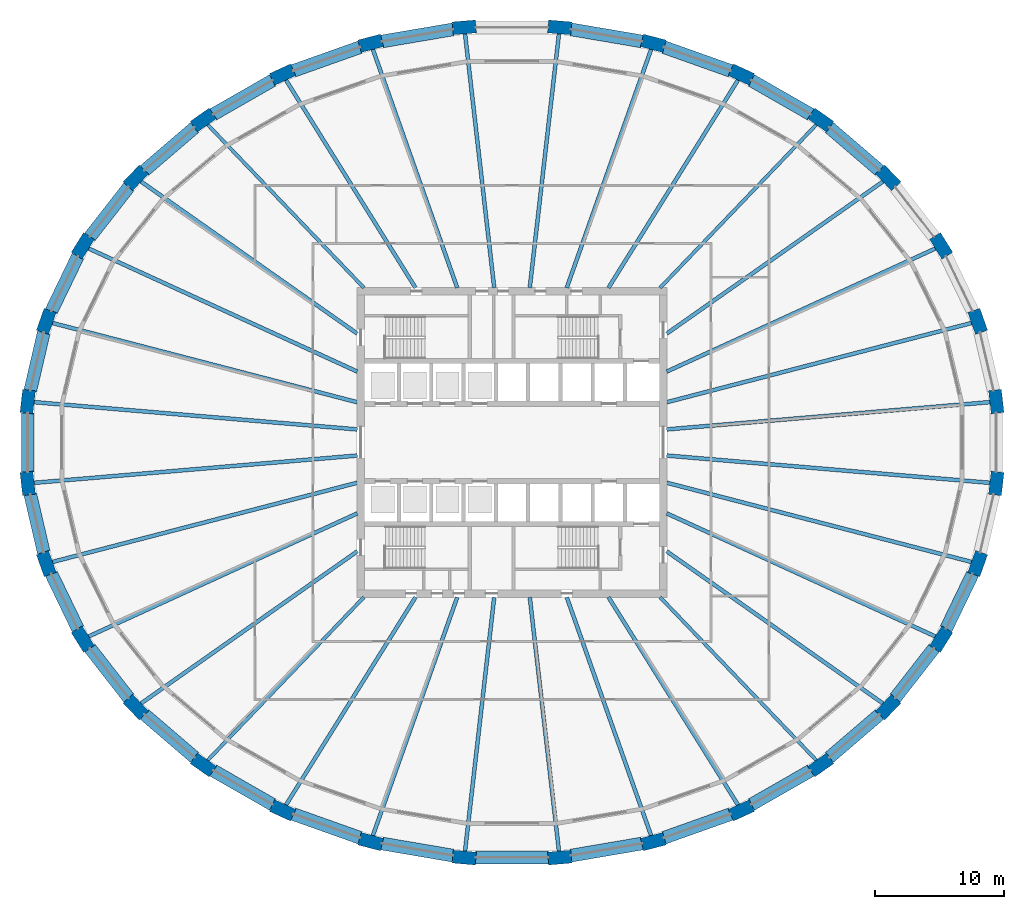
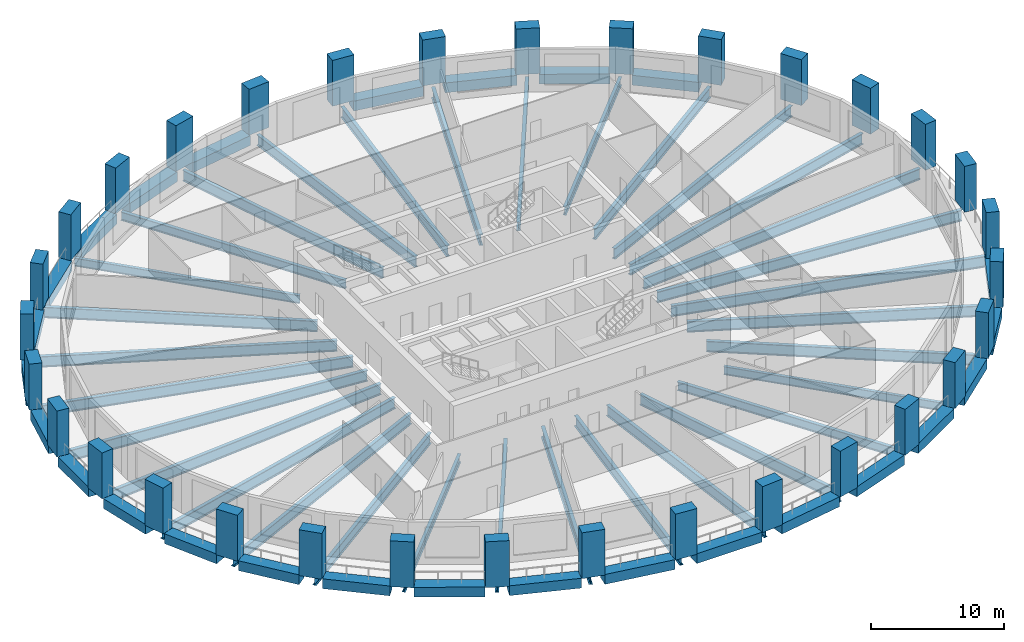
# One storey, part 1 of 11: 58 beams, 32 columns.
"""IFC4 building model written with IfcOpenShell, lengths in metres."""

from ifc_helpers import new_model, si_unit, direction, frame, origin, origin_2d, place, context, subcontext, project, spatial, rectangle, i_section, extrude, material, material_profile, profile_set, type_object, element, save


model = new_model("IFC4")

# Units and contexts
model_context = context("Model", 3, precision=1e-05, world=origin(), true_north=direction((0.0, 1.0)))
body_context = subcontext(model_context, "Body", "Model", "MODEL_VIEW")
ifc_project = project(units=[si_unit("LENGTHUNIT", "METRE"), si_unit("AREAUNIT", "SQUARE_METRE"), si_unit("VOLUMEUNIT", "CUBIC_METRE"), si_unit("PLANEANGLEUNIT", "RADIAN"), si_unit("MASSUNIT", "GRAM", prefix="KILO")], contexts=[model_context])

# Site, building, storey
site_placement = place(None, origin())
site = spatial("IfcSite", under=ifc_project, at=site_placement, CompositionType="ELEMENT")
building_placement = place(site_placement, origin())
building = spatial("IfcBuilding", under=site, at=building_placement, Name="Halqa Exchange Tower", CompositionType="ELEMENT")
storey_placement = place(building_placement, frame((0.0, 0.0, 36.10009765625)))
storey = spatial("IfcBuildingStorey", under=building, at=storey_placement, Name="L07", CompositionType="ELEMENT", Elevation=36.10009765625)

# Columns
ifc_material_1 = material(Name="Concrete C80/95", Category="concrete")
ifc_material_profile_1 = material_profile(ifc_material_1, rectangle(XDim=1.800048828125, YDim=1.0, at=origin_2d()), Name="1800 x 1000")
ifc_profile_set_1 = profile_set([ifc_material_profile_1], Name="Concrete C80/95")
column_type = type_object("IfcColumnType", Name="RC ring column 1800 x 1000 C80/95", PredefinedType="COLUMN", material=ifc_profile_set_1)
for number, where, z_axis, x_axis, name in (
    (1, (37.4765625, 3.163818359375, 0.0), (0.0, 0.0, 1.0), (-0.114155188058, 0.993462929877, 0.0), "Ring column 1"),
    (2, (36.036376953125, 9.369873046875, 0.0), (0.0, 0.0, 1.0), (-0.333630814899, 0.942703813162, 0.0), "Ring column 2"),
    (3, (33.211181640625, 15.2158203125, 0.0), (0.0, 0.0, 1.0), (-0.529141977228, 0.848533303964, 0.0), "Ring column 3"),
    (4, (29.110107421875, 20.47705078125, 0.0), (0.0, 0.0, 1.0), (-0.691574830638, 0.722304820438, 0.0), "Ring column 4"),
    (5, (23.889892578125, 24.951416015625, 0.0), (0.0, 0.0, 1.0), (-0.817911800523, 0.575343624772, 0.0), "Ring column 5"),
    (6, (17.751708984375, 28.466796875, 0.0), (0.0, 0.0, 1.0), (-0.909127822794, 0.416517228722, 0.0), "Ring column 6"),
    (7, (10.931396484375, 30.88818359375, 0.0), (0.0, 0.0, 1.0), (-0.967819064366, 0.251647091481, 0.0), "Ring column 7"),
    (8, (3.691162109375, 32.122802734375, 0.0), (0.0, 0.0, 1.0), (-0.996455225341, 0.084124811391, 0.0), "Ring column 8"),
    (9, (-3.691162109375, 32.122802734375, 0.0), (0.0, 0.0, 1.0), (-0.996455225341, -0.084124811391, 0.0), "Ring column 9"),
    (10, (-10.931396484375, 30.88818359375, 0.0), (0.0, 0.0, 1.0), (-0.967819064366, -0.251647091481, 0.0), "Ring column 10"),
    (11, (-17.751708984375, 28.466796875, 0.0), (0.0, 0.0, 1.0), (-0.909127822794, -0.416517228722, 0.0), "Ring column 11"),
    (12, (-23.889892578125, 24.951416015625, 0.0), (0.0, 0.0, 1.0), (-0.817911800523, -0.575343624772, 0.0), "Ring column 12"),
    (13, (-29.110107421875, 20.47705078125, 0.0), (0.0, 0.0, 1.0), (-0.691574830638, -0.722304820438, 0.0), "Ring column 13"),
    (14, (-33.211181640625, 15.2158203125, 0.0), (0.0, 0.0, 1.0), (-0.529141977228, -0.848533303964, 0.0), "Ring column 14"),
    (15, (-36.036376953125, 9.369873046875, 0.0), (0.0, 0.0, 1.0), (-0.333630814899, -0.942703813162, 0.0), "Ring column 15"),
    (16, (-37.4765625, 3.163818359375, 0.0), (0.0, 0.0, 1.0), (-0.114155188058, -0.993462929877, 0.0), "Ring column 16"),
    (17, (-37.4765625, -3.163818359375, 0.0), (0.0, 0.0, 1.0), (0.114155188058, -0.993462929877, 0.0), "Ring column 17"),
    (18, (-36.036376953125, -9.369873046875, 0.0), (0.0, 0.0, 1.0), (0.333630814899, -0.942703813162, 0.0), "Ring column 18"),
    (19, (-33.211181640625, -15.2158203125, 0.0), (0.0, 0.0, 1.0), (0.529141977228, -0.848533303964, 0.0), "Ring column 19"),
    (20, (-29.110107421875, -20.47705078125, 0.0), (0.0, 0.0, 1.0), (0.691574830638, -0.722304820438, 0.0), "Ring column 20"),
    (21, (-23.889892578125, -24.951416015625, 0.0), (0.0, 0.0, 1.0), (0.817911800523, -0.575343624772, 0.0), "Ring column 21"),
    (22, (-17.751708984375, -28.466796875, 0.0), (0.0, 0.0, 1.0), (0.909127822794, -0.416517228722, 0.0), "Ring column 22"),
    (23, (-10.931396484375, -30.88818359375, 0.0), (0.0, 0.0, 1.0), (0.967819064366, -0.251647091481, 0.0), "Ring column 23"),
    (24, (-3.691162109375, -32.122802734375, 0.0), (0.0, 0.0, 1.0), (0.996455225341, -0.084124811391, 0.0), "Ring column 24"),
    (25, (3.691162109375, -32.122802734375, 0.0), (0.0, 0.0, 1.0), (0.996455225341, 0.084124811391, 0.0), "Ring column 25"),
    (26, (10.931396484375, -30.88818359375, 0.0), (0.0, 0.0, 1.0), (0.967819064366, 0.251647091481, 0.0), "Ring column 26"),
    (27, (17.751708984375, -28.466796875, 0.0), (0.0, 0.0, 1.0), (0.909127822794, 0.416517228722, 0.0), "Ring column 27"),
    (28, (23.889892578125, -24.951416015625, 0.0), (0.0, 0.0, 1.0), (0.817911800523, 0.575343624772, 0.0), "Ring column 28"),
    (29, (29.110107421875, -20.47705078125, 0.0), (0.0, 0.0, 1.0), (0.691574830638, 0.722304820438, 0.0), "Ring column 29"),
    (30, (33.211181640625, -15.2158203125, 0.0), (0.0, 0.0, 1.0), (0.529141977228, 0.848533303964, 0.0), "Ring column 30"),
    (31, (36.036376953125, -9.369873046875, 0.0), (0.0, 0.0, 1.0), (0.333630814899, 0.942703813162, 0.0), "Ring column 31"),
    (32, (37.4765625, -3.163818359375, 0.0), (0.0, 0.0, 1.0), (0.114155188058, 0.993462929877, 0.0), "Ring column 32"),
):
    element("IfcColumn", number, at=place(storey_placement, frame(where, z_axis=z_axis, x_axis=x_axis)), inside=storey, type_object=column_type, Name=name, PredefinedType="COLUMN", context=body_context, shape_type="SweptSolid", body=[
        extrude(rectangle(XDim=1.800048828125, YDim=1.0, at=origin_2d()), origin(), (0.0, 0.0, 1.0), 4.199951171875),
    ])

# Beams
ifc_material_2 = material(Name="Steel S355", Category="steel")
ifc_material_profile_2 = material_profile(ifc_material_2, i_section(OverallWidth=0.300048828125, OverallDepth=0.989990234375, WebThickness=0.0166015625, FlangeThickness=0.031005859375, FilletRadius=0.030029296875, at=origin_2d()), Name="HEA 1000")
ifc_profile_set_2 = profile_set([ifc_material_profile_2], Name="Steel S355")
beam_type_1 = type_object("IfcBeamType", Name="Floor beam HEA 1000", PredefinedType="BEAM", material=ifc_profile_set_2)
beam_1_placement = place(storey_placement, frame((11.972412109375, 5.485107421875, -0.795166015625), z_axis=(0.909127504728, 0.416517922961, 0.0), x_axis=(-0.416517922961, 0.909127504728, 0.0)))
element("IfcBeam", 33, at=beam_1_placement, inside=storey, type_object=beam_type_1, Name="Radial beam 3", PredefinedType="BEAM", context=body_context, shape_type="SweptSolid", body=[
    extrude(i_section(OverallWidth=0.300048828125, OverallDepth=0.989990234375, WebThickness=0.0166015625, FlangeThickness=0.031005859375, FilletRadius=0.030029296875, at=origin_2d()), origin(), (0.0, 0.0, 1.0), 22.98583984375),
])
beam_2_placement = place(storey_placement, frame((11.972412109375, 8.421875, -0.795166015625), z_axis=(0.817909814648, 0.575346447892, 0.0), x_axis=(-0.575346447892, 0.817909814648, 0.0)))
element("IfcBeam", 34, at=beam_2_placement, inside=storey, type_object=beam_type_1, Name="Radial beam 4", PredefinedType="BEAM", context=body_context, shape_type="SweptSolid", body=[
    extrude(i_section(OverallWidth=0.300048828125, OverallDepth=0.989990234375, WebThickness=0.0166015625, FlangeThickness=0.031005859375, FilletRadius=0.030029296875, at=origin_2d()), origin(), (0.0, 0.0, 1.0), 20.576904296875),
])
beam_3_placement = place(storey_placement, frame((4.23681640625, 11.971923828125, -0.795166015625), z_axis=(0.333629334542, 0.942704337071, 0.0), x_axis=(-0.942704337071, 0.333629334542, 0.0)))
element("IfcBeam", 35, at=beam_3_placement, inside=storey, type_object=beam_type_1, Name="Radial beam 7", PredefinedType="BEAM", context=body_context, shape_type="SweptSolid", body=[
    extrude(i_section(OverallWidth=0.300048828125, OverallDepth=0.989990234375, WebThickness=0.0166015625, FlangeThickness=0.031005859375, FilletRadius=0.030029296875, at=origin_2d()), origin(), (0.0, 0.0, 1.0), 19.69189453125),
])
for number, where, z_axis, x_axis, name in (
    (36, (1.375732421875, 11.972900390625, -0.795166015625), (0.114158678634, 0.993462528781, 0.0), (-0.993462528781, 0.114158678634, 0.0), "Radial beam 8"),
    (37, (-1.375732421875, 11.972900390625, -0.795166015625), (-0.114158678634, 0.993462528781, 0.0), (-0.993462528781, -0.114158678634, 0.0), "Radial beam 9"),
):
    element("IfcBeam", number, at=place(storey_placement, frame(where, z_axis=z_axis, x_axis=x_axis)), inside=storey, type_object=beam_type_1, Name=name, PredefinedType="BEAM", context=body_context, shape_type="SweptSolid", body=[
        extrude(i_section(OverallWidth=0.300048828125, OverallDepth=0.989990234375, WebThickness=0.0166015625, FlangeThickness=0.031005859375, FilletRadius=0.030029296875, at=origin_2d()), origin(), (0.0, 0.0, 1.0), 19.910400390625),
    ])
beam_4_placement = place(storey_placement, frame((-4.23681640625, 11.971923828125, -0.795166015625), z_axis=(-0.333629334542, 0.942704337071, 0.0), x_axis=(-0.942704337071, -0.333629334542, 0.0)))
element("IfcBeam", 38, at=beam_4_placement, inside=storey, type_object=beam_type_1, Name="Radial beam 10", PredefinedType="BEAM", context=body_context, shape_type="SweptSolid", body=[
    extrude(i_section(OverallWidth=0.300048828125, OverallDepth=0.989990234375, WebThickness=0.0166015625, FlangeThickness=0.031005859375, FilletRadius=0.030029296875, at=origin_2d()), origin(), (0.0, 0.0, 1.0), 19.69189453125),
])
beam_5_placement = place(storey_placement, frame((-11.972412109375, 8.421875, -0.795166015625), z_axis=(-0.817909814648, 0.575346447892, 0.0), x_axis=(-0.575346447892, -0.817909814648, 0.0)))
element("IfcBeam", 39, at=beam_5_placement, inside=storey, type_object=beam_type_1, Name="Radial beam 13", PredefinedType="BEAM", context=body_context, shape_type="SweptSolid", body=[
    extrude(i_section(OverallWidth=0.300048828125, OverallDepth=0.989990234375, WebThickness=0.0166015625, FlangeThickness=0.031005859375, FilletRadius=0.030029296875, at=origin_2d()), origin(), (0.0, 0.0, 1.0), 20.576904296875),
])
for number, where, z_axis, x_axis, name in (
    (40, (-11.972412109375, 5.485107421875, -0.795166015625), (-0.909127504728, 0.416517922961, 0.0), (-0.416517922961, -0.909127504728, 0.0), "Radial beam 14"),
    (41, (-11.972412109375, -5.485107421875, -0.795166015625), (-0.909127504728, -0.416517922961, 0.0), (0.416517922961, -0.909127504728, 0.0), "Radial beam 19"),
):
    element("IfcBeam", number, at=place(storey_placement, frame(where, z_axis=z_axis, x_axis=x_axis)), inside=storey, type_object=beam_type_1, Name=name, PredefinedType="BEAM", context=body_context, shape_type="SweptSolid", body=[
        extrude(i_section(OverallWidth=0.300048828125, OverallDepth=0.989990234375, WebThickness=0.0166015625, FlangeThickness=0.031005859375, FilletRadius=0.030029296875, at=origin_2d()), origin(), (0.0, 0.0, 1.0), 22.98583984375),
    ])
beam_6_placement = place(storey_placement, frame((-11.972412109375, -8.421875, -0.795166015625), z_axis=(-0.817909814648, -0.575346447892, 0.0), x_axis=(0.575346447892, -0.817909814648, 0.0)))
element("IfcBeam", 42, at=beam_6_placement, inside=storey, type_object=beam_type_1, Name="Radial beam 20", PredefinedType="BEAM", context=body_context, shape_type="SweptSolid", body=[
    extrude(i_section(OverallWidth=0.300048828125, OverallDepth=0.989990234375, WebThickness=0.0166015625, FlangeThickness=0.031005859375, FilletRadius=0.030029296875, at=origin_2d()), origin(), (0.0, 0.0, 1.0), 20.576904296875),
])
beam_7_placement = place(storey_placement, frame((-4.23681640625, -11.971923828125, -0.795166015625), z_axis=(-0.333629334542, -0.942704337071, 0.0), x_axis=(0.942704337071, -0.333629334542, 0.0)))
element("IfcBeam", 43, at=beam_7_placement, inside=storey, type_object=beam_type_1, Name="Radial beam 23", PredefinedType="BEAM", context=body_context, shape_type="SweptSolid", body=[
    extrude(i_section(OverallWidth=0.300048828125, OverallDepth=0.989990234375, WebThickness=0.0166015625, FlangeThickness=0.031005859375, FilletRadius=0.030029296875, at=origin_2d()), origin(), (0.0, 0.0, 1.0), 19.69189453125),
])
for number, where, z_axis, x_axis, name in (
    (44, (-1.375732421875, -11.972900390625, -0.795166015625), (-0.114158678634, -0.993462528781, 0.0), (0.993462528781, -0.114158678634, 0.0), "Radial beam 24"),
    (45, (1.375732421875, -11.972900390625, -0.795166015625), (0.114158678634, -0.993462528781, 0.0), (0.993462528781, 0.114158678634, 0.0), "Radial beam 25"),
):
    element("IfcBeam", number, at=place(storey_placement, frame(where, z_axis=z_axis, x_axis=x_axis)), inside=storey, type_object=beam_type_1, Name=name, PredefinedType="BEAM", context=body_context, shape_type="SweptSolid", body=[
        extrude(i_section(OverallWidth=0.300048828125, OverallDepth=0.989990234375, WebThickness=0.0166015625, FlangeThickness=0.031005859375, FilletRadius=0.030029296875, at=origin_2d()), origin(), (0.0, 0.0, 1.0), 19.910400390625),
    ])
beam_8_placement = place(storey_placement, frame((4.23681640625, -11.971923828125, -0.795166015625), z_axis=(0.333629334542, -0.942704337071, 0.0), x_axis=(0.942704337071, 0.333629334542, 0.0)))
element("IfcBeam", 46, at=beam_8_placement, inside=storey, type_object=beam_type_1, Name="Radial beam 26", PredefinedType="BEAM", context=body_context, shape_type="SweptSolid", body=[
    extrude(i_section(OverallWidth=0.300048828125, OverallDepth=0.989990234375, WebThickness=0.0166015625, FlangeThickness=0.031005859375, FilletRadius=0.030029296875, at=origin_2d()), origin(), (0.0, 0.0, 1.0), 19.69189453125),
])
beam_9_placement = place(storey_placement, frame((11.972412109375, -8.421875, -0.795166015625), z_axis=(0.817909814648, -0.575346447892, 0.0), x_axis=(0.575346447892, 0.817909814648, 0.0)))
element("IfcBeam", 47, at=beam_9_placement, inside=storey, type_object=beam_type_1, Name="Radial beam 29", PredefinedType="BEAM", context=body_context, shape_type="SweptSolid", body=[
    extrude(i_section(OverallWidth=0.300048828125, OverallDepth=0.989990234375, WebThickness=0.0166015625, FlangeThickness=0.031005859375, FilletRadius=0.030029296875, at=origin_2d()), origin(), (0.0, 0.0, 1.0), 20.576904296875),
])
beam_10_placement = place(storey_placement, frame((11.972412109375, -5.485107421875, -0.795166015625), z_axis=(0.909127504728, -0.416517922961, 0.0), x_axis=(0.416517922961, 0.909127504728, 0.0)))
element("IfcBeam", 48, at=beam_10_placement, inside=storey, type_object=beam_type_1, Name="Radial beam 30", PredefinedType="BEAM", context=body_context, shape_type="SweptSolid", body=[
    extrude(i_section(OverallWidth=0.300048828125, OverallDepth=0.989990234375, WebThickness=0.0166015625, FlangeThickness=0.031005859375, FilletRadius=0.030029296875, at=origin_2d()), origin(), (0.0, 0.0, 1.0), 22.98583984375),
])
ifc_material_profile_3 = material_profile(ifc_material_2, i_section(OverallWidth=0.300048828125, OverallDepth=0.7900390625, WebThickness=0.014892578125, FlangeThickness=0.028076171875, FilletRadius=0.030029296875, at=origin_2d()), Name="HEA 800")
ifc_profile_set_3 = profile_set([ifc_material_profile_3], Name="Steel S355")
beam_type_2 = type_object("IfcBeamType", Name="Floor beam HEA 800", PredefinedType="BEAM", material=ifc_profile_set_3)
for number, where, z_axis, x_axis, name in (
    (49, (7.46533203125, 11.971435546875, -0.695068359375), (0.529139911738, 0.848534591992, 0.0), (-0.848534591992, 0.529139911738, 0.0), "Radial beam 6"),
    (50, (-7.46533203125, 11.971435546875, -0.695068359375), (-0.529139911738, 0.848534591992, 0.0), (-0.848534591992, -0.529139911738, 0.0), "Radial beam 11"),
    (51, (-7.46533203125, -11.971435546875, -0.695068359375), (-0.529139911738, -0.848534591992, 0.0), (0.848534591992, -0.529139911738, 0.0), "Radial beam 22"),
    (52, (7.46533203125, -11.971435546875, -0.695068359375), (0.529139911738, -0.848534591992, 0.0), (0.848534591992, 0.529139911738, 0.0), "Radial beam 27"),
):
    element("IfcBeam", number, at=place(storey_placement, frame(where, z_axis=z_axis, x_axis=x_axis)), inside=storey, type_object=beam_type_2, Name=name, PredefinedType="BEAM", context=body_context, shape_type="SweptSolid", body=[
        extrude(i_section(OverallWidth=0.300048828125, OverallDepth=0.7900390625, WebThickness=0.014892578125, FlangeThickness=0.028076171875, FilletRadius=0.030029296875, at=origin_2d()), origin(), (0.0, 0.0, 1.0), 19.063720703125),
    ])
ifc_material_profile_4 = material_profile(ifc_material_2, i_section(OverallWidth=0.302001953125, OverallDepth=1.008056640625, WebThickness=0.02099609375, FlangeThickness=0.0400390625, FilletRadius=0.030029296875, at=origin_2d()), Name="HEM 1000")
ifc_profile_set_4 = profile_set([ifc_material_profile_4], Name="Steel S355")
beam_type_3 = type_object("IfcBeamType", Name="Floor beam HEM 1000", PredefinedType="BEAM", material=ifc_profile_set_4)
beam_11_placement = place(storey_placement, frame((11.972412109375, 1.0107421875, -0.80419921875), z_axis=(0.996455391934, 0.084122838075, 0.0), x_axis=(-0.084122838075, 0.996455391934, 0.0)))
element("IfcBeam", 53, at=beam_11_placement, inside=storey, type_object=beam_type_3, Name="Radial beam 1", PredefinedType="BEAM", context=body_context, shape_type="SweptSolid", body=[
    extrude(i_section(OverallWidth=0.302001953125, OverallDepth=1.008056640625, WebThickness=0.02099609375, FlangeThickness=0.0400390625, FilletRadius=0.030029296875, at=origin_2d()), origin(), (0.0, 0.0, 1.0), 25.222900390625),
])
for number, where, z_axis, x_axis, name in (
    (54, (11.971435546875, 3.11279296875, -0.80419921875), (0.967819156454, 0.251646737313, 0.0), (-0.251646737313, 0.967819156454, 0.0), "Radial beam 2"),
    (55, (-11.971435546875, 3.11279296875, -0.80419921875), (-0.967819156454, 0.251646737313, 0.0), (-0.251646737313, -0.967819156454, 0.0), "Radial beam 15"),
):
    element("IfcBeam", number, at=place(storey_placement, frame(where, z_axis=z_axis, x_axis=x_axis)), inside=storey, type_object=beam_type_3, Name=name, PredefinedType="BEAM", context=body_context, shape_type="SweptSolid", body=[
        extrude(i_section(OverallWidth=0.302001953125, OverallDepth=1.008056640625, WebThickness=0.02099609375, FlangeThickness=0.0400390625, FilletRadius=0.030029296875, at=origin_2d()), origin(), (0.0, 0.0, 1.0), 24.490966796875),
    ])
for number, where, z_axis, x_axis, name in (
    (56, (-11.972412109375, 1.0107421875, -0.80419921875), (-0.996455391934, 0.084122838075, 0.0), (-0.084122838075, -0.996455391934, 0.0), "Radial beam 16"),
    (57, (-11.972412109375, -1.0107421875, -0.80419921875), (-0.996455391934, -0.084122838075, 0.0), (0.084122838075, -0.996455391934, 0.0), "Radial beam 17"),
):
    element("IfcBeam", number, at=place(storey_placement, frame(where, z_axis=z_axis, x_axis=x_axis)), inside=storey, type_object=beam_type_3, Name=name, PredefinedType="BEAM", context=body_context, shape_type="SweptSolid", body=[
        extrude(i_section(OverallWidth=0.302001953125, OverallDepth=1.008056640625, WebThickness=0.02099609375, FlangeThickness=0.0400390625, FilletRadius=0.030029296875, at=origin_2d()), origin(), (0.0, 0.0, 1.0), 25.222900390625),
    ])
for number, where, z_axis, x_axis, name in (
    (58, (-11.971435546875, -3.11279296875, -0.80419921875), (-0.967819156454, -0.251646737313, 0.0), (0.251646737313, -0.967819156454, 0.0), "Radial beam 18"),
    (59, (11.971435546875, -3.11279296875, -0.80419921875), (0.967819156454, -0.251646737313, 0.0), (0.251646737313, 0.967819156454, 0.0), "Radial beam 31"),
):
    element("IfcBeam", number, at=place(storey_placement, frame(where, z_axis=z_axis, x_axis=x_axis)), inside=storey, type_object=beam_type_3, Name=name, PredefinedType="BEAM", context=body_context, shape_type="SweptSolid", body=[
        extrude(i_section(OverallWidth=0.302001953125, OverallDepth=1.008056640625, WebThickness=0.02099609375, FlangeThickness=0.0400390625, FilletRadius=0.030029296875, at=origin_2d()), origin(), (0.0, 0.0, 1.0), 24.490966796875),
    ])
beam_12_placement = place(storey_placement, frame((11.972412109375, -1.0107421875, -0.80419921875), z_axis=(0.996455391934, -0.084122838075, 0.0), x_axis=(0.084122838075, 0.996455391934, 0.0)))
element("IfcBeam", 60, at=beam_12_placement, inside=storey, type_object=beam_type_3, Name="Radial beam 32", PredefinedType="BEAM", context=body_context, shape_type="SweptSolid", body=[
    extrude(i_section(OverallWidth=0.302001953125, OverallDepth=1.008056640625, WebThickness=0.02099609375, FlangeThickness=0.0400390625, FilletRadius=0.030029296875, at=origin_2d()), origin(), (0.0, 0.0, 1.0), 25.222900390625),
])
ifc_material_profile_5 = material_profile(ifc_material_2, i_section(OverallWidth=0.264892578125, OverallDepth=0.7529296875, WebThickness=0.01318359375, FlangeThickness=0.01708984375, FilletRadius=0.01708984375, at=origin_2d()), Name="IPE 750x147")
ifc_profile_set_5 = profile_set([ifc_material_profile_5], Name="Steel S355")
beam_type_4 = type_object("IfcBeamType", Name="Floor beam IPE 750x147", PredefinedType="BEAM", material=ifc_profile_set_5)
for number, where, z_axis, x_axis, name in (
    (61, (11.462890625, 11.97216796875, -0.676513671875), (0.691577968949, 0.722301815631, 0.0), (-0.722301815631, 0.691577968949, 0.0), "Radial beam 5"),
    (62, (-11.462890625, 11.97216796875, -0.676513671875), (-0.691577968949, 0.722301815631, 0.0), (-0.722301815631, -0.691577968949, 0.0), "Radial beam 12"),
    (63, (-11.462890625, -11.97216796875, -0.676513671875), (-0.691577968949, -0.722301815631, 0.0), (0.722301815631, -0.691577968949, 0.0), "Radial beam 21"),
    (64, (11.462890625, -11.97216796875, -0.676513671875), (0.691577968949, -0.722301815631, 0.0), (0.722301815631, 0.691577968949, 0.0), "Radial beam 28"),
):
    element("IfcBeam", number, at=place(storey_placement, frame(where, z_axis=z_axis, x_axis=x_axis)), inside=storey, type_object=beam_type_4, Name=name, PredefinedType="BEAM", context=body_context, shape_type="SweptSolid", body=[
        extrude(i_section(OverallWidth=0.264892578125, OverallDepth=0.7529296875, WebThickness=0.01318359375, FlangeThickness=0.01708984375, FilletRadius=0.01708984375, at=origin_2d()), origin(), (0.0, 0.0, 1.0), 17.593017578125),
    ])
ifc_material_3 = material(Name="Concrete C60/75", Category="concrete")
ifc_material_profile_6 = material_profile(ifc_material_3, rectangle(XDim=1.0, YDim=0.89990234375, at=origin_2d()), Name="1000 x 900")
ifc_profile_set_6 = profile_set([ifc_material_profile_6], Name="Concrete C60/75")
beam_type_5 = type_object("IfcBeamType", Name="RC spandrel beam 1000 x 900 C60/75", PredefinedType="SPANDREL", material=ifc_profile_set_6)
beam_13_placement = place(storey_placement, frame((28.444580078125, 21.04736328125, -0.4501953125), z_axis=(-0.759249875312, 0.650799221602, 0.0), x_axis=(-0.650799221602, -0.759249875312, 0.0)))
element("IfcBeam", 65, at=beam_13_placement, inside=storey, type_object=beam_type_5, Name="Spandrel 4", PredefinedType="SPANDREL", context=body_context, shape_type="SweptSolid", body=[
    extrude(rectangle(XDim=1.0, YDim=0.89990234375, at=origin_2d()), origin(), (0.0, 0.0, 1.0), 5.123779296875),
])
beam_14_placement = place(storey_placement, frame((23.129638671875, 25.38671875, -0.4501953125), z_axis=(-0.867743060026, 0.497013059966, 0.0), x_axis=(-0.497013059966, -0.867743060026, 0.0)))
element("IfcBeam", 66, at=beam_14_placement, inside=storey, type_object=beam_type_5, Name="Spandrel 5", PredefinedType="SPANDREL", context=body_context, shape_type="SweptSolid", body=[
    extrude(rectangle(XDim=1.0, YDim=0.89990234375, at=origin_2d()), origin(), (0.0, 0.0, 1.0), 5.322265625),
])
beam_15_placement = place(storey_placement, frame((16.926025390625, 28.760009765625, -0.4501953125), z_axis=(-0.942362573301, 0.334593455468, 0.0), x_axis=(-0.334593455468, -0.942362573301, 0.0)))
element("IfcBeam", 67, at=beam_15_placement, inside=storey, type_object=beam_type_5, Name="Spandrel 6", PredefinedType="SPANDREL", context=body_context, shape_type="SweptSolid", body=[
    extrude(rectangle(XDim=1.0, YDim=0.89990234375, at=origin_2d()), origin(), (0.0, 0.0, 1.0), 5.485595703125),
])
for number, where, z_axis, x_axis, name in (
    (68, (10.06884765625, 31.035400390625, -0.4501953125), (-0.98577383032, 0.16807723063, 0.0), (-0.16807723063, -0.98577383032, 0.0), "Spandrel 7"),
    (69, (-4.55322265625, 31.975830078125, -0.4501953125), (-0.98577383032, -0.16807723063, 0.0), (0.16807723063, -0.98577383032, 0.0), "Spandrel 9"),
):
    element("IfcBeam", number, at=place(storey_placement, frame(where, z_axis=z_axis, x_axis=x_axis)), inside=storey, type_object=beam_type_5, Name=name, PredefinedType="SPANDREL", context=body_context, shape_type="SweptSolid", body=[
        extrude(rectangle(XDim=1.0, YDim=0.89990234375, at=origin_2d()), origin(), (0.0, 0.0, 1.0), 5.59521484375),
    ])
beam_16_placement = place(storey_placement, frame((-11.756591796875, 30.595458984375, -0.4501953125), z_axis=(-0.942362573301, -0.334593455468, 0.0), x_axis=(0.334593455468, -0.942362573301, 0.0)))
element("IfcBeam", 70, at=beam_16_placement, inside=storey, type_object=beam_type_5, Name="Spandrel 10", PredefinedType="SPANDREL", context=body_context, shape_type="SweptSolid", body=[
    extrude(rectangle(XDim=1.0, YDim=0.89990234375, at=origin_2d()), origin(), (0.0, 0.0, 1.0), 5.485595703125),
])
beam_17_placement = place(storey_placement, frame((-18.51123046875, 28.031982421875, -0.4501953125), z_axis=(-0.867743060026, -0.497013059966, 0.0), x_axis=(0.497013059966, -0.867743060026, 0.0)))
element("IfcBeam", 71, at=beam_17_placement, inside=storey, type_object=beam_type_5, Name="Spandrel 11", PredefinedType="SPANDREL", context=body_context, shape_type="SweptSolid", body=[
    extrude(rectangle(XDim=1.0, YDim=0.89990234375, at=origin_2d()), origin(), (0.0, 0.0, 1.0), 5.322265625),
])
beam_18_placement = place(storey_placement, frame((-24.554443359375, 24.3818359375, -0.4501953125), z_axis=(-0.759249875312, -0.650799221602, 0.0), x_axis=(0.650799221602, -0.759249875312, 0.0)))
element("IfcBeam", 72, at=beam_18_placement, inside=storey, type_object=beam_type_5, Name="Spandrel 12", PredefinedType="SPANDREL", context=body_context, shape_type="SweptSolid", body=[
    extrude(rectangle(XDim=1.0, YDim=0.89990234375, at=origin_2d()), origin(), (0.0, 0.0, 1.0), 5.123779296875),
])
beam_19_placement = place(storey_placement, frame((-29.648193359375, 19.78662109375, -0.4501953125), z_axis=(-0.614778716326, -0.788699644955, 0.0), x_axis=(0.788699644955, -0.614778716326, 0.0)))
element("IfcBeam", 73, at=beam_19_placement, inside=storey, type_object=beam_type_5, Name="Spandrel 13", PredefinedType="SPANDREL", context=body_context, shape_type="SweptSolid", body=[
    extrude(rectangle(XDim=1.0, YDim=0.89990234375, at=origin_2d()), origin(), (0.0, 0.0, 1.0), 4.918701171875),
])
beam_20_placement = place(storey_placement, frame((-33.59326171875, 14.42529296875, -0.4501953125), z_axis=(-0.435115053314, -0.900374861033, 0.0), x_axis=(0.900374861033, -0.435115053314, 0.0)))
element("IfcBeam", 74, at=beam_20_placement, inside=storey, type_object=beam_type_5, Name="Spandrel 14", PredefinedType="SPANDREL", context=body_context, shape_type="SweptSolid", body=[
    extrude(rectangle(XDim=1.0, YDim=0.89990234375, at=origin_2d()), origin(), (0.0, 0.0, 1.0), 4.73779296875),
])
beam_21_placement = place(storey_placement, frame((-36.23486328125, 8.514892578125, -0.4501953125), z_axis=(-0.226057098176, -0.974114053058, 0.0), x_axis=(0.974114053058, -0.226057098176, 0.0)))
element("IfcBeam", 75, at=beam_21_placement, inside=storey, type_object=beam_type_5, Name="Spandrel 15", PredefinedType="SPANDREL", context=body_context, shape_type="SweptSolid", body=[
    extrude(rectangle(XDim=1.0, YDim=0.89990234375, at=origin_2d()), origin(), (0.0, 0.0, 1.0), 4.61474609375),
])
beam_22_placement = place(storey_placement, frame((-37.4765625, 2.28515625, -0.4501953125), z_axis=(0.0, -1.0, 0.0), x_axis=(1.0, 0.0, 0.0)))
element("IfcBeam", 76, at=beam_22_placement, inside=storey, type_object=beam_type_5, Name="Spandrel 16", PredefinedType="SPANDREL", context=body_context, shape_type="SweptSolid", body=[
    extrude(rectangle(XDim=1.0, YDim=0.89990234375, at=origin_2d()), origin(), (0.0, 0.0, 1.0), 4.5703125),
])
beam_23_placement = place(storey_placement, frame((-37.278076171875, -4.01953125, -0.4501953125), z_axis=(0.226057098176, -0.974114053058, 0.0), x_axis=(0.974114053058, 0.226057098176, 0.0)))
element("IfcBeam", 77, at=beam_23_placement, inside=storey, type_object=beam_type_5, Name="Spandrel 17", PredefinedType="SPANDREL", context=body_context, shape_type="SweptSolid", body=[
    extrude(rectangle(XDim=1.0, YDim=0.89990234375, at=origin_2d()), origin(), (0.0, 0.0, 1.0), 4.61474609375),
])
beam_24_placement = place(storey_placement, frame((-35.65478515625, -10.159423828125, -0.4501953125), z_axis=(0.435115053314, -0.900374861033, 0.0), x_axis=(0.900374861033, 0.435115053314, 0.0)))
element("IfcBeam", 78, at=beam_24_placement, inside=storey, type_object=beam_type_5, Name="Spandrel 18", PredefinedType="SPANDREL", context=body_context, shape_type="SweptSolid", body=[
    extrude(rectangle(XDim=1.0, YDim=0.89990234375, at=origin_2d()), origin(), (0.0, 0.0, 1.0), 4.73779296875),
])
beam_25_placement = place(storey_placement, frame((-32.672119140625, -15.9072265625, -0.4501953125), z_axis=(0.614778716326, -0.788699644955, 0.0), x_axis=(0.788699644955, 0.614778716326, 0.0)))
element("IfcBeam", 79, at=beam_25_placement, inside=storey, type_object=beam_type_5, Name="Spandrel 19", PredefinedType="SPANDREL", context=body_context, shape_type="SweptSolid", body=[
    extrude(rectangle(XDim=1.0, YDim=0.89990234375, at=origin_2d()), origin(), (0.0, 0.0, 1.0), 4.918701171875),
])
beam_26_placement = place(storey_placement, frame((-28.444580078125, -21.04736328125, -0.4501953125), z_axis=(0.759249875312, -0.650799221602, 0.0), x_axis=(0.650799221602, 0.759249875312, 0.0)))
element("IfcBeam", 80, at=beam_26_placement, inside=storey, type_object=beam_type_5, Name="Spandrel 20", PredefinedType="SPANDREL", context=body_context, shape_type="SweptSolid", body=[
    extrude(rectangle(XDim=1.0, YDim=0.89990234375, at=origin_2d()), origin(), (0.0, 0.0, 1.0), 5.123779296875),
])
beam_27_placement = place(storey_placement, frame((-23.129638671875, -25.38671875, -0.4501953125), z_axis=(0.867743060026, -0.497013059966, 0.0), x_axis=(0.497013059966, 0.867743060026, 0.0)))
element("IfcBeam", 81, at=beam_27_placement, inside=storey, type_object=beam_type_5, Name="Spandrel 21", PredefinedType="SPANDREL", context=body_context, shape_type="SweptSolid", body=[
    extrude(rectangle(XDim=1.0, YDim=0.89990234375, at=origin_2d()), origin(), (0.0, 0.0, 1.0), 5.322265625),
])
beam_28_placement = place(storey_placement, frame((-16.926025390625, -28.760009765625, -0.4501953125), z_axis=(0.942362573301, -0.334593455468, 0.0), x_axis=(0.334593455468, 0.942362573301, 0.0)))
element("IfcBeam", 82, at=beam_28_placement, inside=storey, type_object=beam_type_5, Name="Spandrel 22", PredefinedType="SPANDREL", context=body_context, shape_type="SweptSolid", body=[
    extrude(rectangle(XDim=1.0, YDim=0.89990234375, at=origin_2d()), origin(), (0.0, 0.0, 1.0), 5.485595703125),
])
beam_29_placement = place(storey_placement, frame((-10.06884765625, -31.035400390625, -0.4501953125), z_axis=(0.98577383032, -0.16807723063, 0.0), x_axis=(0.16807723063, 0.98577383032, 0.0)))
element("IfcBeam", 83, at=beam_29_placement, inside=storey, type_object=beam_type_5, Name="Spandrel 23", PredefinedType="SPANDREL", context=body_context, shape_type="SweptSolid", body=[
    extrude(rectangle(XDim=1.0, YDim=0.89990234375, at=origin_2d()), origin(), (0.0, 0.0, 1.0), 5.59521484375),
])
beam_30_placement = place(storey_placement, frame((-2.816650390625, -32.122802734375, -0.4501953125), z_axis=(1.0, 0.0, 0.0), x_axis=(0.0, 1.0, 0.0)))
element("IfcBeam", 84, at=beam_30_placement, inside=storey, type_object=beam_type_5, Name="Spandrel 24", PredefinedType="SPANDREL", context=body_context, shape_type="SweptSolid", body=[
    extrude(rectangle(XDim=1.0, YDim=0.89990234375, at=origin_2d()), origin(), (0.0, 0.0, 1.0), 5.63330078125),
])
beam_31_placement = place(storey_placement, frame((4.55322265625, -31.975830078125, -0.4501953125), z_axis=(0.98577383032, 0.16807723063, 0.0), x_axis=(-0.16807723063, 0.98577383032, 0.0)))
element("IfcBeam", 85, at=beam_31_placement, inside=storey, type_object=beam_type_5, Name="Spandrel 25", PredefinedType="SPANDREL", context=body_context, shape_type="SweptSolid", body=[
    extrude(rectangle(XDim=1.0, YDim=0.89990234375, at=origin_2d()), origin(), (0.0, 0.0, 1.0), 5.59521484375),
])
beam_32_placement = place(storey_placement, frame((11.756591796875, -30.595458984375, -0.4501953125), z_axis=(0.942362573301, 0.334593455468, 0.0), x_axis=(-0.334593455468, 0.942362573301, 0.0)))
element("IfcBeam", 86, at=beam_32_placement, inside=storey, type_object=beam_type_5, Name="Spandrel 26", PredefinedType="SPANDREL", context=body_context, shape_type="SweptSolid", body=[
    extrude(rectangle(XDim=1.0, YDim=0.89990234375, at=origin_2d()), origin(), (0.0, 0.0, 1.0), 5.485595703125),
])
beam_33_placement = place(storey_placement, frame((18.51123046875, -28.031982421875, -0.4501953125), z_axis=(0.867743060026, 0.497013059966, 0.0), x_axis=(-0.497013059966, 0.867743060026, 0.0)))
element("IfcBeam", 87, at=beam_33_placement, inside=storey, type_object=beam_type_5, Name="Spandrel 27", PredefinedType="SPANDREL", context=body_context, shape_type="SweptSolid", body=[
    extrude(rectangle(XDim=1.0, YDim=0.89990234375, at=origin_2d()), origin(), (0.0, 0.0, 1.0), 5.322265625),
])
beam_34_placement = place(storey_placement, frame((24.554443359375, -24.3818359375, -0.4501953125), z_axis=(0.759249875312, 0.650799221602, 0.0), x_axis=(-0.650799221602, 0.759249875312, 0.0)))
element("IfcBeam", 88, at=beam_34_placement, inside=storey, type_object=beam_type_5, Name="Spandrel 28", PredefinedType="SPANDREL", context=body_context, shape_type="SweptSolid", body=[
    extrude(rectangle(XDim=1.0, YDim=0.89990234375, at=origin_2d()), origin(), (0.0, 0.0, 1.0), 5.123779296875),
])
beam_35_placement = place(storey_placement, frame((29.648193359375, -19.78662109375, -0.4501953125), z_axis=(0.614778716326, 0.788699644955, 0.0), x_axis=(-0.788699644955, 0.614778716326, 0.0)))
element("IfcBeam", 89, at=beam_35_placement, inside=storey, type_object=beam_type_5, Name="Spandrel 29", PredefinedType="SPANDREL", context=body_context, shape_type="SweptSolid", body=[
    extrude(rectangle(XDim=1.0, YDim=0.89990234375, at=origin_2d()), origin(), (0.0, 0.0, 1.0), 4.918701171875),
])
beam_36_placement = place(storey_placement, frame((33.59326171875, -14.42529296875, -0.4501953125), z_axis=(0.435115053314, 0.900374861033, 0.0), x_axis=(-0.900374861033, 0.435115053314, 0.0)))
element("IfcBeam", 90, at=beam_36_placement, inside=storey, type_object=beam_type_5, Name="Spandrel 30", PredefinedType="SPANDREL", context=body_context, shape_type="SweptSolid", body=[
    extrude(rectangle(XDim=1.0, YDim=0.89990234375, at=origin_2d()), origin(), (0.0, 0.0, 1.0), 4.73779296875),
])

save(model, "model.ifc")
